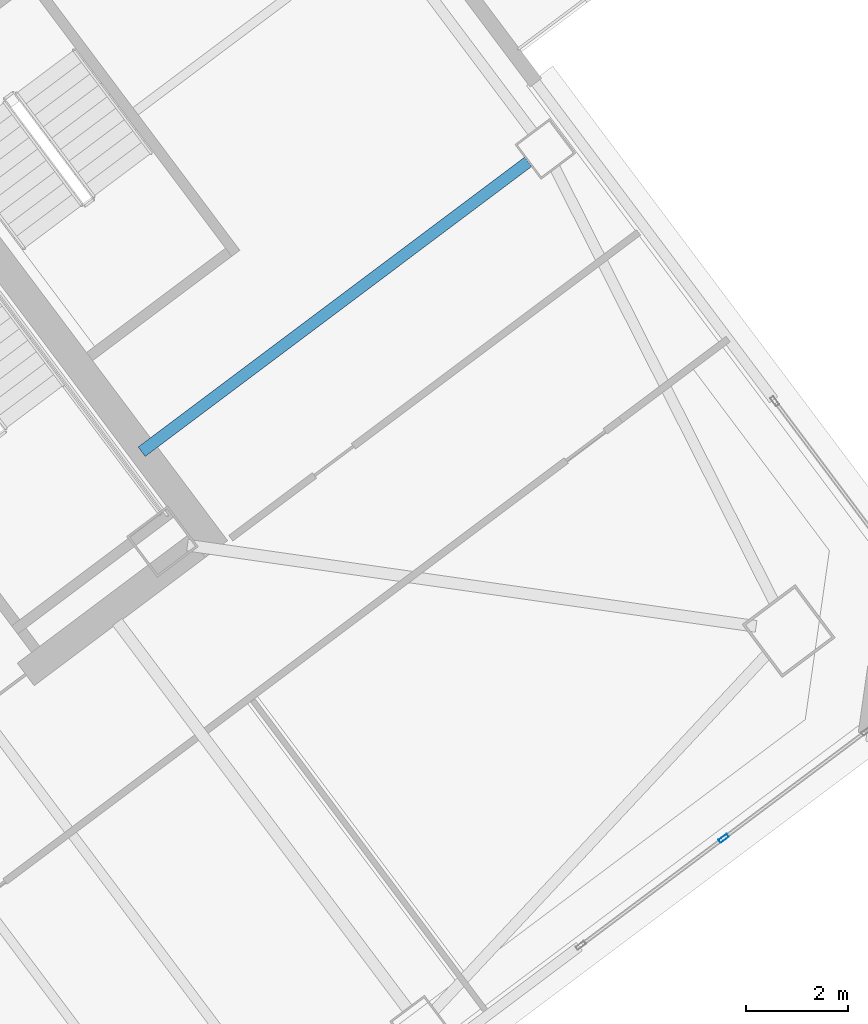
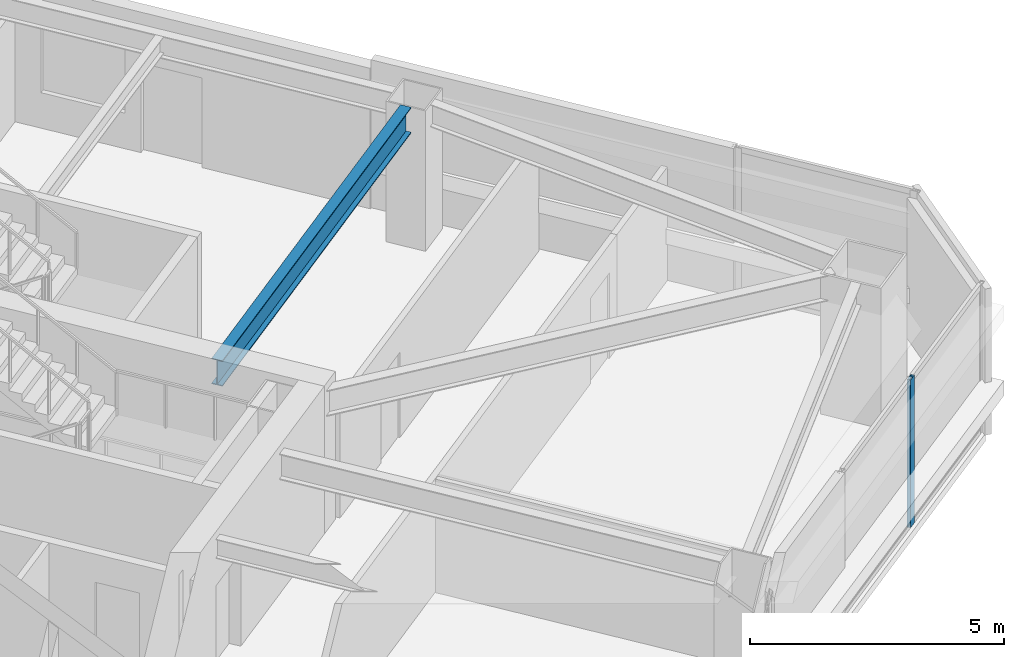
# One storey, part 26 of 46: 1 beam, 1 member, 1 element without a shape of its own.
"""IFC4 building model written with IfcOpenShell, lengths in metres."""

from ifc_helpers import new_model, si_unit, direction, frame, origin, origin_2d, place, context, subcontext, project, spatial, hollow_rectangle, i_section, extrude, material, material_profile, profile_set, type_object, element, aggregate, save


model = new_model("IFC4")

# Units and contexts
model_context = context("Model", 3, precision=1e-05, world=origin(), true_north=direction((0.0, 1.0)))
body_context = subcontext(model_context, "Body", "Model", "MODEL_VIEW")
ifc_project = project(units=[si_unit("LENGTHUNIT", "METRE"), si_unit("AREAUNIT", "SQUARE_METRE"), si_unit("VOLUMEUNIT", "CUBIC_METRE"), si_unit("PLANEANGLEUNIT", "RADIAN"), si_unit("MASSUNIT", "GRAM", prefix="KILO")], contexts=[model_context])

# Site, building, storey
site_placement = place(None, origin())
site = spatial("IfcSite", under=ifc_project, at=site_placement, CompositionType="ELEMENT")
building_placement = place(site_placement, origin())
building = spatial("IfcBuilding", under=site, at=building_placement, Name="Tashvorn Skyway Center", CompositionType="ELEMENT")
storey_placement = place(building_placement, frame((0.0, 0.0, 132.14990234375)))
storey = spatial("IfcBuildingStorey", under=building, at=storey_placement, Name="L35", CompositionType="ELEMENT", Elevation=132.14990234375)

# Beam
ifc_material_1 = material(Name="Steel ASTM A992 Grade 50", Category="steel")
ifc_material_profile_1 = material_profile(ifc_material_1, i_section(OverallWidth=0.22998046875, OverallDepth=0.616943359375, WebThickness=0.01318359375, FlangeThickness=0.022216796875, at=origin_2d()), Name="W24X94")
ifc_profile_set_1 = profile_set([ifc_material_profile_1], Name="Steel ASTM A992 Grade 50")
beam_type = type_object("IfcBeamType", Name="BM-BEAM-W24X94", PredefinedType="BEAM", material=ifc_profile_set_1)
beam_placement = place(storey_placement, frame((131.02392578125, 38.01806640625, 3.0615234375), z_axis=(-0.799984498661, -0.600020667896, 0.0), x_axis=(0.600020667896, -0.799984498661, 0.0)))
element("IfcBeam", 1, at=beam_placement, inside=storey, type_object=beam_type, Name="Tower 2 L35 Primary Floor Girder FC-E1", PredefinedType="BEAM", context=body_context, shape_type="SweptSolid", body=[
    extrude(i_section(OverallWidth=0.22998046875, OverallDepth=0.616943359375, WebThickness=0.01318359375, FlangeThickness=0.022216796875, at=origin_2d()), origin(), (0.0, 0.0, 1.0), 9.449951171875),
])

# Curtain wall, member
ifc_material_2 = material(Name="Thermally broken bronze-anodized aluminium 6063-T6", Category="aluminium")
curtain_wall_type = type_object("IfcCurtainWallType", Name="CW-CW-Z3", PredefinedType="NOTDEFINED", material=ifc_material_2)
curtain_wall_placement = place(storey_placement, origin())
curtain_wall = element("IfcCurtainWall", 2, at=curtain_wall_placement, inside=storey, type_object=curtain_wall_type, Name="Tower 2 L35 South Unitised Curtain Wall Glazing Group 1", PredefinedType="NOTDEFINED")
ifc_material_profile_2 = material_profile(ifc_material_2, hollow_rectangle(XDim=0.074951171875, YDim=0.199951171875, WallThickness=0.00439453125, at=origin_2d()), Name="ALU-MULL-75x200")
ifc_profile_set_2 = profile_set([ifc_material_profile_2], Name="Thermally broken bronze-anodized aluminium 6063-T6")
member_type = type_object("IfcMemberType", Name="CWM-CW-Z3", PredefinedType="MULLION", material=ifc_profile_set_2)
member_placement = place(storey_placement, frame((134.848876953125, 24.78662109375, 0.0), z_axis=(0.0, 0.0, 1.0), x_axis=(0.600004533995, -0.799996599484, 0.0)))
member = element("IfcMember", 3, at=member_placement, type_object=member_type, Name="CW-Z3 mullion 2", PredefinedType="MULLION", context=body_context, shape_type="SweptSolid", body=[
    extrude(hollow_rectangle(XDim=0.074951171875, YDim=0.199951171875, WallThickness=0.00439453125, at=origin_2d()), origin(), (0.0, 0.0, 1.0), 3.550048828125),
])
aggregate(curtain_wall, [member])

save(model, "model.ifc")
